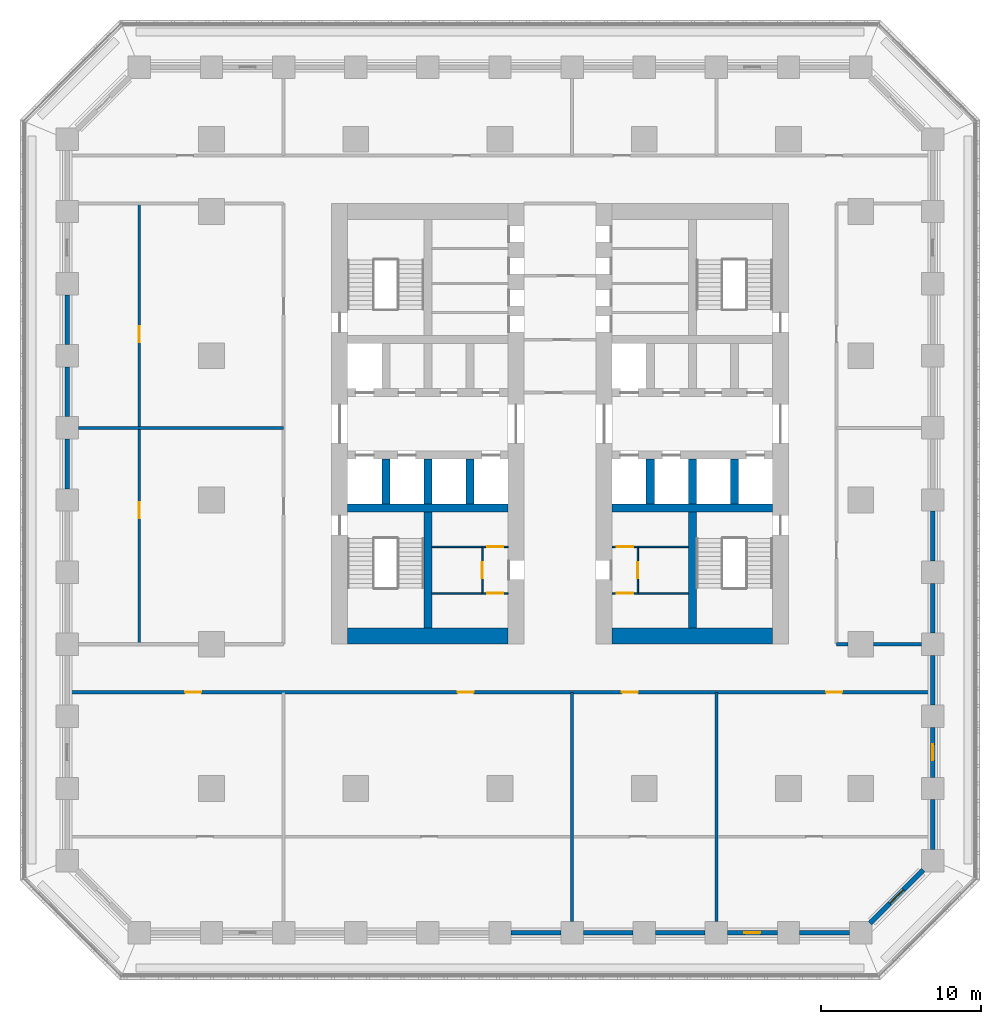
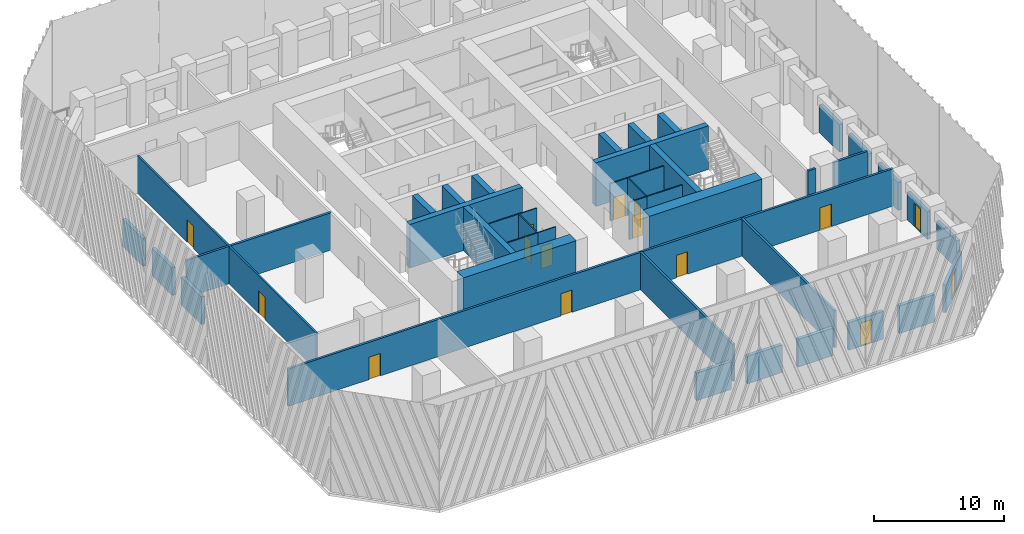
# One storey, part 3 of 12: 43 walls, 15 doors, 15 openings.
"""IFC4 building model written with IfcOpenShell, lengths in metres."""

from ifc_helpers import new_model, si_unit, direction, frame, frame_2d, origin, place, context, subcontext, project, spatial, rectangle, extrude, material, layer, layer_set, type_object, element, fill, save


model = new_model("IFC4")

# Units and contexts
model_context = context("Model", 3, precision=1e-05, world=origin(), true_north=direction((0.0, 1.0)))
body_context = subcontext(model_context, "Body", "Model", "MODEL_VIEW")
ifc_project = project(units=[si_unit("LENGTHUNIT", "METRE"), si_unit("AREAUNIT", "SQUARE_METRE"), si_unit("VOLUMEUNIT", "CUBIC_METRE"), si_unit("PLANEANGLEUNIT", "RADIAN"), si_unit("MASSUNIT", "GRAM", prefix="KILO")], contexts=[model_context])

# Site, building, storey
site_placement = place(None, origin())
site = spatial("IfcSite", under=ifc_project, at=site_placement, CompositionType="ELEMENT")
building_placement = place(site_placement, origin())
building = spatial("IfcBuilding", under=site, at=building_placement, Name="Corbel Stack Research Tower", CompositionType="ELEMENT")
storey_placement = place(building_placement, frame((0.0, 0.0, 31.800048828125)))
storey = spatial("IfcBuildingStorey", under=building, at=storey_placement, Name="L07", CompositionType="ELEMENT", Elevation=31.800048828125)

# Walls
ifc_material_1 = material(Name="Concrete C70/85", Category="concrete")
ifc_layer_1 = layer(ifc_material_1, 1.0)
ifc_layer_set_1 = layer_set([ifc_layer_1], Name="Concrete C70/85")
wall_type_1 = type_object("IfcWallType", Name="CW-1000-70", PredefinedType="SHEAR", material=ifc_layer_set_1)
for number, where, z_axis, x_axis, name in (
    (1, (-9.5, -8.5, 0.0), (0.0, 0.0, 1.0), (1.0, 0.0, 0.0), "West core wall, south end L07"),
    (2, (7.0, -8.5, 0.0), (0.0, 0.0, 1.0), (1.0, 0.0, 0.0), "East core wall, south end L07"),
):
    element("IfcWall", number, at=place(storey_placement, frame(where, z_axis=z_axis, x_axis=x_axis)), inside=storey, type_object=wall_type_1, Name=name, PredefinedType="SHEAR", context=body_context, shape_type="SweptSolid", body=[
        extrude(rectangle(XDim=10.0, YDim=1.0, at=frame_2d((5.0, 0.0))), origin(), (0.0, 0.0, 1.0), 4.099853515625),
    ])
ifc_material_2 = material(Name="Concrete C70/85", Category="concrete")
ifc_layer_2 = layer(ifc_material_2, 0.5)
ifc_layer_set_2 = layer_set([ifc_layer_2], Name="Concrete C70/85")
wall_type_2 = type_object("IfcWallType", Name="CW-500-70", PredefinedType="SHEAR", material=ifc_layer_set_2)
wall_1_placement = place(storey_placement, frame((-9.5, -0.5, 0.0), z_axis=(0.0, 0.0, 1.0), x_axis=(1.0, 0.0, 0.0)))
element("IfcWall", 3, at=wall_1_placement, inside=storey, type_object=wall_type_2, Name="West core wall, south row back L07", PredefinedType="SHEAR", context=body_context, shape_type="SweptSolid", body=[
    extrude(rectangle(XDim=10.0, YDim=0.5, at=frame_2d((5.0, 0.0))), origin(), (0.0, 0.0, 1.0), 4.099853515625),
])
for number, where, z_axis, x_axis, name in (
    (4, (-7.125, -0.25, 0.0), (0.0, 0.0, 1.0), (0.0, 1.0, 0.0), "West core wall, south shaft 1 L07"),
    (5, (-4.5, -0.25, 0.0), (0.0, 0.0, 1.0), (0.0, 1.0, 0.0), "West core wall, south shaft 2 L07"),
    (6, (-1.875, -0.25, 0.0), (0.0, 0.0, 1.0), (0.0, 1.0, 0.0), "West core wall, south shaft 3 L07"),
):
    element("IfcWall", number, at=place(storey_placement, frame(where, z_axis=z_axis, x_axis=x_axis)), inside=storey, type_object=wall_type_2, Name=name, PredefinedType="SHEAR", context=body_context, shape_type="SweptSolid", body=[
        extrude(rectangle(XDim=2.800048828125, YDim=0.5, at=frame_2d((1.39990234375, 0.0))), origin(), (0.0, 0.0, 1.0), 4.099853515625),
    ])
wall_2_placement = place(storey_placement, frame((-4.5, -8.0, 0.0), z_axis=(0.0, 0.0, 1.0), x_axis=(0.0, 1.0, 0.0)))
element("IfcWall", 7, at=wall_2_placement, inside=storey, type_object=wall_type_2, Name="West core wall, south stair and WC L07", PredefinedType="SHEAR", context=body_context, shape_type="SweptSolid", body=[
    extrude(rectangle(XDim=7.25, YDim=0.5, at=frame_2d((3.625, 0.0))), origin(), (0.0, 0.0, 1.0), 4.099853515625),
])
wall_3_placement = place(storey_placement, frame((7.0, -0.5, 0.0), z_axis=(0.0, 0.0, 1.0), x_axis=(1.0, 0.0, 0.0)))
element("IfcWall", 8, at=wall_3_placement, inside=storey, type_object=wall_type_2, Name="East core wall, south row back L07", PredefinedType="SHEAR", context=body_context, shape_type="SweptSolid", body=[
    extrude(rectangle(XDim=10.0, YDim=0.5, at=frame_2d((5.0, 0.0))), origin(), (0.0, 0.0, 1.0), 4.099853515625),
])
for number, where, z_axis, x_axis, name in (
    (9, (9.375, -0.25, 0.0), (0.0, 0.0, 1.0), (0.0, 1.0, 0.0), "East core wall, south shaft 1 L07"),
    (10, (12.0, -0.25, 0.0), (0.0, 0.0, 1.0), (0.0, 1.0, 0.0), "East core wall, south shaft 2 L07"),
    (11, (14.625, -0.25, 0.0), (0.0, 0.0, 1.0), (0.0, 1.0, 0.0), "East core wall, south shaft 3 L07"),
):
    element("IfcWall", number, at=place(storey_placement, frame(where, z_axis=z_axis, x_axis=x_axis)), inside=storey, type_object=wall_type_2, Name=name, PredefinedType="SHEAR", context=body_context, shape_type="SweptSolid", body=[
        extrude(rectangle(XDim=2.800048828125, YDim=0.5, at=frame_2d((1.39990234375, 0.0))), origin(), (0.0, 0.0, 1.0), 4.099853515625),
    ])
wall_4_placement = place(storey_placement, frame((12.0, -8.0, 0.0), z_axis=(0.0, 0.0, 1.0), x_axis=(0.0, 1.0, 0.0)))
element("IfcWall", 12, at=wall_4_placement, inside=storey, type_object=wall_type_2, Name="East core wall, south stair and WC L07", PredefinedType="SHEAR", context=body_context, shape_type="SweptSolid", body=[
    extrude(rectangle(XDim=7.25, YDim=0.5, at=frame_2d((3.625, 0.0))), origin(), (0.0, 0.0, 1.0), 4.099853515625),
])

# Wall, opening, door
ifc_material_3 = material(Name="Gypsum board")
ifc_layer_3 = layer(ifc_material_3, 0.10009765625)
ifc_layer_set_3 = layer_set([ifc_layer_3], Name="Gypsum board")
wall_type_3 = type_object("IfcWallType", Name="Core partition 100", PredefinedType="PARTITIONING", material=ifc_layer_set_3)
wall_5_placement = place(storey_placement, frame((-1.10009765625, -5.824951171875, 0.0), z_axis=(0.0, 0.0, 1.0), x_axis=(1.0, 0.0, 0.0)))
wall_5 = element("IfcWall", 13, at=wall_5_placement, inside=storey, type_object=wall_type_3, Name="Core partition W", PredefinedType="PARTITIONING", context=body_context, shape_type="SweptSolid", body=[
    extrude(rectangle(XDim=1.60009765625, YDim=0.10009765625, at=frame_2d((0.800048828125, 0.0))), origin(), (0.0, 0.0, 1.0), 3.5),
])
opening_1_placement = place(wall_5_placement, frame((0.300048828125, 0.0, 0.0)))
opening_1 = element("IfcOpeningElement", 14, at=opening_1_placement, cuts=wall_5, Name="Opening CR-W36-W2-1000", PredefinedType="OPENING", context=body_context, shape_type="SweptSolid", body=[
    extrude(rectangle(XDim=1.0, YDim=2.10009765625, at=frame_2d((0.5, 1.050048828125))), frame((0.0, 0.06005859375, 0.0), z_axis=(0.0, -1.0, 0.0), x_axis=(1.0, 0.0, 0.0)), (0.0, 0.0, 1.0), 0.1201171875),
])
ifc_material_4 = material(Name="Painted timber door", Category="wood")
door_type_1 = type_object("IfcDoorType", Name="WC door 1000 x 2100 right hand", OperationType="SINGLE_SWING_RIGHT", PredefinedType="DOOR", material=ifc_material_4)
door_1_placement = place(opening_1_placement, origin())
door_1 = element("IfcDoor", 15, at=door_1_placement, inside=storey, type_object=door_type_1, Name="Men's WC door W core", OperationType="SINGLE_SWING_RIGHT", OverallHeight=2.10009765625, OverallWidth=1.0, PredefinedType="DOOR", context=body_context, shape_type="SweptSolid", body=[
    extrude(rectangle(XDim=1.0, YDim=2.10009765625, at=frame_2d((0.5, 1.050048828125))), frame((0.0, 0.02490234375, 0.0), z_axis=(0.0, -1.0, 0.0), x_axis=(1.0, 0.0, 0.0)), (0.0, 0.0, 1.0), 0.050048828125),
])
fill(opening_1, door_1)

wall_6_placement = place(storey_placement, frame((-1.10009765625, -2.925048828125, 0.0), z_axis=(0.0, 0.0, 1.0), x_axis=(1.0, 0.0, 0.0)))
wall_6 = element("IfcWall", 16, at=wall_6_placement, inside=storey, type_object=wall_type_3, Name="Core partition W", PredefinedType="PARTITIONING", context=body_context, shape_type="SweptSolid", body=[
    extrude(rectangle(XDim=1.60009765625, YDim=0.10009765625, at=frame_2d((0.800048828125, 0.0))), origin(), (0.0, 0.0, 1.0), 3.5),
])
opening_2_placement = place(wall_6_placement, frame((0.300048828125, 0.0, 0.0)))
opening_2 = element("IfcOpeningElement", 17, at=opening_2_placement, cuts=wall_6, Name="Opening CR-W36-W3-1000", PredefinedType="OPENING", context=body_context, shape_type="SweptSolid", body=[
    extrude(rectangle(XDim=1.0, YDim=2.10009765625, at=frame_2d((0.5, 1.050048828125))), frame((0.0, 0.06005859375, 0.0), z_axis=(0.0, -1.0, 0.0), x_axis=(1.0, 0.0, 0.0)), (0.0, 0.0, 1.0), 0.1201171875),
])
ifc_material_5 = material(Name="Painted timber door", Category="wood")
door_type_2 = type_object("IfcDoorType", Name="WC door 1000 x 2100 left hand", OperationType="SINGLE_SWING_LEFT", PredefinedType="DOOR", material=ifc_material_5)
door_2_placement = place(opening_2_placement, origin())
door_2 = element("IfcDoor", 18, at=door_2_placement, inside=storey, type_object=door_type_2, Name="Women's WC door W core", OperationType="SINGLE_SWING_LEFT", OverallHeight=2.10009765625, OverallWidth=1.0, PredefinedType="DOOR", context=body_context, shape_type="SweptSolid", body=[
    extrude(rectangle(XDim=1.0, YDim=2.10009765625, at=frame_2d((0.5, 1.050048828125))), frame((0.0, 0.02490234375, 0.0), z_axis=(0.0, -1.0, 0.0), x_axis=(1.0, 0.0, 0.0)), (0.0, 0.0, 1.0), 0.050048828125),
])
fill(opening_2, door_2)

wall_7_placement = place(storey_placement, frame((-1.10009765625, -5.824951171875, 0.0), z_axis=(0.0, 0.0, 1.0), x_axis=(0.0, 1.0, 0.0)))
wall_7 = element("IfcWall", 19, at=wall_7_placement, inside=storey, type_object=wall_type_3, Name="Core partition W", PredefinedType="PARTITIONING", context=body_context, shape_type="SweptSolid", body=[
    extrude(rectangle(XDim=2.89990234375, YDim=0.10009765625, at=frame_2d((1.449951171875, 0.0))), origin(), (0.0, 0.0, 1.0), 3.5),
])
opening_3_placement = place(wall_7_placement, frame((0.949951171875, 0.0, 0.0)))
opening_3 = element("IfcOpeningElement", 20, at=opening_3_placement, cuts=wall_7, Name="Opening CR-W36-W4-1000", PredefinedType="OPENING", context=body_context, shape_type="SweptSolid", body=[
    extrude(rectangle(XDim=1.0, YDim=2.10009765625, at=frame_2d((0.5, 1.050048828125))), frame((0.0, 0.06005859375, 0.0), z_axis=(0.0, -1.0, 0.0), x_axis=(1.0, 0.0, 0.0)), (0.0, 0.0, 1.0), 0.1201171875),
])
door_3_placement = place(opening_3_placement, origin())
door_3 = element("IfcDoor", 21, at=door_3_placement, inside=storey, type_object=door_type_1, Name="Accessible WC door W core", OperationType="SINGLE_SWING_RIGHT", OverallHeight=2.10009765625, OverallWidth=1.0, PredefinedType="DOOR", context=body_context, shape_type="SweptSolid", body=[
    extrude(rectangle(XDim=1.0, YDim=2.10009765625, at=frame_2d((0.5, 1.050048828125))), frame((0.0, 0.02490234375, 0.0), z_axis=(0.0, -1.0, 0.0), x_axis=(1.0, 0.0, 0.0)), (0.0, 0.0, 1.0), 0.050048828125),
])
fill(opening_3, door_3)

# Walls
for number, where, z_axis, x_axis, name in (
    (22, (-4.25, -5.824951171875, 0.0), (0.0, 0.0, 1.0), (1.0, 0.0, 0.0), "Core partition W"),
    (23, (-4.25, -2.925048828125, 0.0), (0.0, 0.0, 1.0), (1.0, 0.0, 0.0), "Core partition W"),
):
    element("IfcWall", number, at=place(storey_placement, frame(where, z_axis=z_axis, x_axis=x_axis)), inside=storey, type_object=wall_type_3, Name=name, PredefinedType="PARTITIONING", context=body_context, shape_type="SweptSolid", body=[
        extrude(rectangle(XDim=3.14990234375, YDim=0.10009765625, at=frame_2d((1.574951171875, 0.0))), origin(), (0.0, 0.0, 1.0), 3.5),
    ])

# Wall, opening, door
wall_8_placement = place(storey_placement, frame((7.0, -5.824951171875, 0.0), z_axis=(0.0, 0.0, 1.0), x_axis=(1.0, 0.0, 0.0)))
wall_8 = element("IfcWall", 24, at=wall_8_placement, inside=storey, type_object=wall_type_3, Name="Core partition E", PredefinedType="PARTITIONING", context=body_context, shape_type="SweptSolid", body=[
    extrude(rectangle(XDim=1.60009765625, YDim=0.10009765625, at=frame_2d((0.800048828125, 0.0))), origin(), (0.0, 0.0, 1.0), 3.5),
])
opening_4_placement = place(wall_8_placement, frame((0.300048828125, 0.0, 0.0)))
opening_4 = element("IfcOpeningElement", 25, at=opening_4_placement, cuts=wall_8, Name="Opening CR-E36-W2-1000", PredefinedType="OPENING", context=body_context, shape_type="SweptSolid", body=[
    extrude(rectangle(XDim=1.0, YDim=2.10009765625, at=frame_2d((0.5, 1.050048828125))), frame((0.0, 0.06005859375, 0.0), z_axis=(0.0, -1.0, 0.0), x_axis=(1.0, 0.0, 0.0)), (0.0, 0.0, 1.0), 0.1201171875),
])
door_4_placement = place(opening_4_placement, origin())
door_4 = element("IfcDoor", 26, at=door_4_placement, inside=storey, type_object=door_type_2, Name="Men's WC door E core", OperationType="SINGLE_SWING_LEFT", OverallHeight=2.10009765625, OverallWidth=1.0, PredefinedType="DOOR", context=body_context, shape_type="SweptSolid", body=[
    extrude(rectangle(XDim=1.0, YDim=2.10009765625, at=frame_2d((0.5, 1.050048828125))), frame((0.0, 0.02490234375, 0.0), z_axis=(0.0, -1.0, 0.0), x_axis=(1.0, 0.0, 0.0)), (0.0, 0.0, 1.0), 0.050048828125),
])
fill(opening_4, door_4)

wall_9_placement = place(storey_placement, frame((7.0, -2.925048828125, 0.0), z_axis=(0.0, 0.0, 1.0), x_axis=(1.0, 0.0, 0.0)))
wall_9 = element("IfcWall", 27, at=wall_9_placement, inside=storey, type_object=wall_type_3, Name="Core partition E", PredefinedType="PARTITIONING", context=body_context, shape_type="SweptSolid", body=[
    extrude(rectangle(XDim=1.60009765625, YDim=0.10009765625, at=frame_2d((0.800048828125, 0.0))), origin(), (0.0, 0.0, 1.0), 3.5),
])
opening_5_placement = place(wall_9_placement, frame((0.300048828125, 0.0, 0.0)))
opening_5 = element("IfcOpeningElement", 28, at=opening_5_placement, cuts=wall_9, Name="Opening CR-E36-W3-1000", PredefinedType="OPENING", context=body_context, shape_type="SweptSolid", body=[
    extrude(rectangle(XDim=1.0, YDim=2.10009765625, at=frame_2d((0.5, 1.050048828125))), frame((0.0, 0.06005859375, 0.0), z_axis=(0.0, -1.0, 0.0), x_axis=(1.0, 0.0, 0.0)), (0.0, 0.0, 1.0), 0.1201171875),
])
door_5_placement = place(opening_5_placement, origin())
door_5 = element("IfcDoor", 29, at=door_5_placement, inside=storey, type_object=door_type_1, Name="Women's WC door E core", OperationType="SINGLE_SWING_RIGHT", OverallHeight=2.10009765625, OverallWidth=1.0, PredefinedType="DOOR", context=body_context, shape_type="SweptSolid", body=[
    extrude(rectangle(XDim=1.0, YDim=2.10009765625, at=frame_2d((0.5, 1.050048828125))), frame((0.0, 0.02490234375, 0.0), z_axis=(0.0, -1.0, 0.0), x_axis=(1.0, 0.0, 0.0)), (0.0, 0.0, 1.0), 0.050048828125),
])
fill(opening_5, door_5)

wall_10_placement = place(storey_placement, frame((8.60009765625, -5.824951171875, 0.0), z_axis=(0.0, 0.0, 1.0), x_axis=(0.0, 1.0, 0.0)))
wall_10 = element("IfcWall", 30, at=wall_10_placement, inside=storey, type_object=wall_type_3, Name="Core partition E", PredefinedType="PARTITIONING", context=body_context, shape_type="SweptSolid", body=[
    extrude(rectangle(XDim=2.89990234375, YDim=0.10009765625, at=frame_2d((1.449951171875, 0.0))), origin(), (0.0, 0.0, 1.0), 3.5),
])
opening_6_placement = place(wall_10_placement, frame((0.949951171875, 0.0, 0.0)))
opening_6 = element("IfcOpeningElement", 31, at=opening_6_placement, cuts=wall_10, Name="Opening CR-E36-W4-1000", PredefinedType="OPENING", context=body_context, shape_type="SweptSolid", body=[
    extrude(rectangle(XDim=1.0, YDim=2.10009765625, at=frame_2d((0.5, 1.050048828125))), frame((0.0, 0.06005859375, 0.0), z_axis=(0.0, -1.0, 0.0), x_axis=(1.0, 0.0, 0.0)), (0.0, 0.0, 1.0), 0.1201171875),
])
door_6_placement = place(opening_6_placement, origin())
door_6 = element("IfcDoor", 32, at=door_6_placement, inside=storey, type_object=door_type_2, Name="Accessible WC door E core", OperationType="SINGLE_SWING_LEFT", OverallHeight=2.10009765625, OverallWidth=1.0, PredefinedType="DOOR", context=body_context, shape_type="SweptSolid", body=[
    extrude(rectangle(XDim=1.0, YDim=2.10009765625, at=frame_2d((0.5, 1.050048828125))), frame((0.0, 0.02490234375, 0.0), z_axis=(0.0, -1.0, 0.0), x_axis=(1.0, 0.0, 0.0)), (0.0, 0.0, 1.0), 0.050048828125),
])
fill(opening_6, door_6)

# Walls
for number, where, z_axis, x_axis, name in (
    (33, (8.60009765625, -5.824951171875, 0.0), (0.0, 0.0, 1.0), (1.0, 0.0, 0.0), "Core partition E"),
    (34, (8.60009765625, -2.925048828125, 0.0), (0.0, 0.0, 1.0), (1.0, 0.0, 0.0), "Core partition E"),
):
    element("IfcWall", number, at=place(storey_placement, frame(where, z_axis=z_axis, x_axis=x_axis)), inside=storey, type_object=wall_type_3, Name=name, PredefinedType="PARTITIONING", context=body_context, shape_type="SweptSolid", body=[
        extrude(rectangle(XDim=3.14990234375, YDim=0.10009765625, at=frame_2d((1.574951171875, 0.0))), origin(), (0.0, 0.0, 1.0), 3.5),
    ])
ifc_material_6 = material(Name="Fire-rated gypsum board partition on steel studs", Category="steel")
ifc_layer_4 = layer(ifc_material_6, 0.199951171875)
ifc_layer_set_4 = layer_set([ifc_layer_4], Name="Fire-rated gypsum board partition on steel studs")
wall_type_4 = type_object("IfcWallType", Name="Fire-rated partition 200 EI 60", PredefinedType="PARTITIONING", material=ifc_layer_set_4)
for number, where, z_axis, x_axis, name in (
    (35, (4.5, -26.300048828125, 0.0), (0.0, 0.0, 1.0), (0.0, 1.0, 0.0), "Partition L07-005"),
    (36, (13.5, -26.300048828125, 0.0), (0.0, 0.0, 1.0), (0.0, 1.0, 0.0), "Partition L07-007"),
):
    element("IfcWall", number, at=place(storey_placement, frame(where, z_axis=z_axis, x_axis=x_axis)), inside=storey, type_object=wall_type_4, Name=name, PredefinedType="PARTITIONING", context=body_context, shape_type="SweptSolid", body=[
        extrude(rectangle(XDim=14.300048828125, YDim=0.199951171875, at=frame_2d((7.14990234375, 0.0))), origin(), (0.0, 0.0, 1.0), 3.5),
    ])

# Wall, openings, doors
wall_11_placement = place(storey_placement, frame((26.85009765625, -12.0, 0.0), z_axis=(0.0, 0.0, 1.0), x_axis=(-1.0, 0.0, 0.0)))
wall_11 = element("IfcWall", 37, at=wall_11_placement, inside=storey, type_object=wall_type_4, Name="Partition L07-011", PredefinedType="PARTITIONING", context=body_context, shape_type="SweptSolid", body=[
    extrude(rectangle(XDim=53.7001953125, YDim=0.199951171875, at=frame_2d((26.85009765625, 0.0))), origin(), (0.0, 0.0, 1.0), 3.5),
])
opening_7_placement = place(wall_11_placement, frame((45.5, 0.0, 0.0)))
opening_7 = element("IfcOpeningElement", 38, at=opening_7_placement, cuts=wall_11, Name="Opening B1V2-009", PredefinedType="OPENING", context=body_context, shape_type="SweptSolid", body=[
    extrude(rectangle(XDim=1.0, YDim=2.10009765625, at=frame_2d((0.5, 1.050048828125))), frame((0.0, 0.10986328125, 0.0), z_axis=(0.0, -1.0, 0.0), x_axis=(1.0, 0.0, 0.0)), (0.0, 0.0, 1.0), 0.219970703125),
])
opening_8_placement = place(wall_11_placement, frame((28.5, 0.0, 0.0)))
opening_8 = element("IfcOpeningElement", 39, at=opening_8_placement, cuts=wall_11, Name="Opening B1V2-010", PredefinedType="OPENING", context=body_context, shape_type="SweptSolid", body=[
    extrude(rectangle(XDim=1.0, YDim=2.10009765625, at=frame_2d((0.5, 1.050048828125))), frame((0.0, 0.10986328125, 0.0), z_axis=(0.0, -1.0, 0.0), x_axis=(1.0, 0.0, 0.0)), (0.0, 0.0, 1.0), 0.219970703125),
])
opening_9_placement = place(wall_11_placement, frame((18.25, 0.0, 0.0)))
opening_9 = element("IfcOpeningElement", 40, at=opening_9_placement, cuts=wall_11, Name="Opening B1V2-011", PredefinedType="OPENING", context=body_context, shape_type="SweptSolid", body=[
    extrude(rectangle(XDim=1.0, YDim=2.10009765625, at=frame_2d((0.5, 1.050048828125))), frame((0.0, 0.10986328125, 0.0), z_axis=(0.0, -1.0, 0.0), x_axis=(1.0, 0.0, 0.0)), (0.0, 0.0, 1.0), 0.219970703125),
])
opening_10_placement = place(wall_11_placement, frame((5.5, 0.0, 0.0)))
opening_10 = element("IfcOpeningElement", 41, at=opening_10_placement, cuts=wall_11, Name="Opening B1V2-012", PredefinedType="OPENING", context=body_context, shape_type="SweptSolid", body=[
    extrude(rectangle(XDim=1.0, YDim=2.10009765625, at=frame_2d((0.5, 1.050048828125))), frame((0.0, 0.10986328125, 0.0), z_axis=(0.0, -1.0, 0.0), x_axis=(1.0, 0.0, 0.0)), (0.0, 0.0, 1.0), 0.219970703125),
])
ifc_material_7 = material(Name="Painted steel fire door", Category="steel")
door_type_3 = type_object("IfcDoorType", Name="Fire door FD30S 1000 x 2100", OperationType="NOTDEFINED", PredefinedType="DOOR", material=ifc_material_7)
door_7_placement = place(opening_7_placement, origin())
door_7 = element("IfcDoor", 42, at=door_7_placement, inside=storey, type_object=door_type_3, Name="Door B1V2-009", OperationType="SINGLE_SWING_RIGHT", OverallHeight=2.10009765625, OverallWidth=1.0, PredefinedType="DOOR", context=body_context, shape_type="SweptSolid", body=[
    extrude(rectangle(XDim=1.0, YDim=2.10009765625, at=frame_2d((0.5, 1.050048828125))), frame((0.0, 0.02490234375, 0.0), z_axis=(0.0, -1.0, 0.0), x_axis=(1.0, 0.0, 0.0)), (0.0, 0.0, 1.0), 0.050048828125),
])
fill(opening_7, door_7)
door_8_placement = place(opening_8_placement, origin())
door_8 = element("IfcDoor", 43, at=door_8_placement, inside=storey, type_object=door_type_3, Name="Door B1V2-010", OperationType="SINGLE_SWING_RIGHT", OverallHeight=2.10009765625, OverallWidth=1.0, PredefinedType="DOOR", context=body_context, shape_type="SweptSolid", body=[
    extrude(rectangle(XDim=1.0, YDim=2.10009765625, at=frame_2d((0.5, 1.050048828125))), frame((0.0, 0.02490234375, 0.0), z_axis=(0.0, -1.0, 0.0), x_axis=(1.0, 0.0, 0.0)), (0.0, 0.0, 1.0), 0.050048828125),
])
fill(opening_8, door_8)
door_9_placement = place(opening_9_placement, origin())
door_9 = element("IfcDoor", 44, at=door_9_placement, inside=storey, type_object=door_type_3, Name="Door B1V2-011", OperationType="SINGLE_SWING_LEFT", OverallHeight=2.10009765625, OverallWidth=1.0, PredefinedType="DOOR", context=body_context, shape_type="SweptSolid", body=[
    extrude(rectangle(XDim=1.0, YDim=2.10009765625, at=frame_2d((0.5, 1.050048828125))), frame((0.0, 0.02490234375, 0.0), z_axis=(0.0, -1.0, 0.0), x_axis=(1.0, 0.0, 0.0)), (0.0, 0.0, 1.0), 0.050048828125),
])
fill(opening_9, door_9)
door_10_placement = place(opening_10_placement, origin())
door_10 = element("IfcDoor", 45, at=door_10_placement, inside=storey, type_object=door_type_3, Name="Door B1V2-012", OperationType="SINGLE_SWING_LEFT", OverallHeight=2.10009765625, OverallWidth=1.0, PredefinedType="DOOR", context=body_context, shape_type="SweptSolid", body=[
    extrude(rectangle(XDim=1.0, YDim=2.10009765625, at=frame_2d((0.5, 1.050048828125))), frame((0.0, 0.02490234375, 0.0), z_axis=(0.0, -1.0, 0.0), x_axis=(1.0, 0.0, 0.0)), (0.0, 0.0, 1.0), 0.050048828125),
])
fill(opening_10, door_10)

# Walls
wall_12_placement = place(storey_placement, frame((21.0, -9.0, 0.0), z_axis=(0.0, 0.0, 1.0), x_axis=(1.0, 0.0, 0.0)))
element("IfcWall", 46, at=wall_12_placement, inside=storey, type_object=wall_type_4, Name="Partition L07-014", PredefinedType="PARTITIONING", context=body_context, shape_type="SweptSolid", body=[
    extrude(rectangle(XDim=0.699951171875, YDim=0.199951171875, at=frame_2d((0.35009765625, 0.0))), origin(), (0.0, 0.0, 1.0), 3.5),
])
wall_13_placement = place(storey_placement, frame((23.300048828125, -9.0, 0.0), z_axis=(0.0, 0.0, 1.0), x_axis=(1.0, 0.0, 0.0)))
element("IfcWall", 47, at=wall_13_placement, inside=storey, type_object=wall_type_4, Name="Partition L07-015", PredefinedType="PARTITIONING", context=body_context, shape_type="SweptSolid", body=[
    extrude(rectangle(XDim=3.0, YDim=0.199951171875, at=frame_2d((1.5, 0.0))), origin(), (0.0, 0.0, 1.0), 3.5),
])
wall_14_placement = place(storey_placement, frame((-26.300048828125, 4.5, 0.0), z_axis=(0.0, 0.0, 1.0), x_axis=(1.0, 0.0, 0.0)))
element("IfcWall", 48, at=wall_14_placement, inside=storey, type_object=wall_type_4, Name="Partition L07-016", PredefinedType="PARTITIONING", context=body_context, shape_type="SweptSolid", body=[
    extrude(rectangle(XDim=12.800048828125, YDim=0.199951171875, at=frame_2d((6.39990234375, 0.0))), origin(), (0.0, 0.0, 1.0), 3.5),
])

# Wall, openings, doors
ifc_material_8 = material(Name="Gypsum board partition on steel studs", Category="steel")
ifc_layer_5 = layer(ifc_material_8, 0.14990234375)
ifc_layer_set_5 = layer_set([ifc_layer_5], Name="Gypsum board partition on steel studs")
wall_type_5 = type_object("IfcWallType", Name="Partition 150", PredefinedType="PARTITIONING", material=ifc_layer_set_5)
wall_15_placement = place(storey_placement, frame((-22.5, -9.0, 0.0), z_axis=(0.0, 0.0, 1.0), x_axis=(0.0, 1.0, 0.0)))
wall_15 = element("IfcWall", 49, at=wall_15_placement, inside=storey, type_object=wall_type_5, Name="Partition L07-001", PredefinedType="PARTITIONING", context=body_context, shape_type="SweptSolid", body=[
    extrude(rectangle(XDim=27.5, YDim=0.14990234375, at=frame_2d((13.75, 0.0))), origin(), (0.0, 0.0, 1.0), 3.5),
])
opening_11_placement = place(wall_15_placement, frame((7.85009765625, 0.0, 0.0)))
opening_11 = element("IfcOpeningElement", 50, at=opening_11_placement, cuts=wall_15, Name="Opening B1V2-001", PredefinedType="OPENING", context=body_context, shape_type="SweptSolid", body=[
    extrude(rectangle(XDim=1.0, YDim=2.10009765625, at=frame_2d((0.5, 1.050048828125))), frame((0.0, 0.0849609375, 0.0), z_axis=(0.0, -1.0, 0.0), x_axis=(1.0, 0.0, 0.0)), (0.0, 0.0, 1.0), 0.169921875),
])
opening_12_placement = place(wall_15_placement, frame((18.85009765625, 0.0, 0.0)))
opening_12 = element("IfcOpeningElement", 51, at=opening_12_placement, cuts=wall_15, Name="Opening B1V2-002", PredefinedType="OPENING", context=body_context, shape_type="SweptSolid", body=[
    extrude(rectangle(XDim=1.0, YDim=2.10009765625, at=frame_2d((0.5, 1.050048828125))), frame((0.0, 0.0849609375, 0.0), z_axis=(0.0, -1.0, 0.0), x_axis=(1.0, 0.0, 0.0)), (0.0, 0.0, 1.0), 0.169921875),
])
ifc_material_9 = material(Name="Painted timber door", Category="wood")
door_type_4 = type_object("IfcDoorType", Name="Single door 1000 x 2100", OperationType="NOTDEFINED", PredefinedType="DOOR", material=ifc_material_9)
door_11_placement = place(opening_11_placement, origin())
door_11 = element("IfcDoor", 52, at=door_11_placement, inside=storey, type_object=door_type_4, Name="Door B1V2-001", OperationType="SINGLE_SWING_LEFT", OverallHeight=2.10009765625, OverallWidth=1.0, PredefinedType="DOOR", context=body_context, shape_type="SweptSolid", body=[
    extrude(rectangle(XDim=1.0, YDim=2.10009765625, at=frame_2d((0.5, 1.050048828125))), frame((0.0, 0.02490234375, 0.0), z_axis=(0.0, -1.0, 0.0), x_axis=(1.0, 0.0, 0.0)), (0.0, 0.0, 1.0), 0.050048828125),
])
fill(opening_11, door_11)
door_12_placement = place(opening_12_placement, origin())
door_12 = element("IfcDoor", 53, at=door_12_placement, inside=storey, type_object=door_type_4, Name="Door B1V2-002", OperationType="SINGLE_SWING_RIGHT", OverallHeight=2.10009765625, OverallWidth=1.0, PredefinedType="DOOR", context=body_context, shape_type="SweptSolid", body=[
    extrude(rectangle(XDim=1.0, YDim=2.10009765625, at=frame_2d((0.5, 1.050048828125))), frame((0.0, 0.02490234375, 0.0), z_axis=(0.0, -1.0, 0.0), x_axis=(1.0, 0.0, 0.0)), (0.0, 0.0, 1.0), 0.050048828125),
])
fill(opening_12, door_12)

# Walls
ifc_material_10 = material(Name="Concrete C45/55", Category="concrete")
ifc_layer_6 = layer(ifc_material_10, 0.300048828125)
ifc_layer_set_6 = layer_set([ifc_layer_6], Name="Concrete C45/55")
wall_type_6 = type_object("IfcWallType", Name="Terracotta-faced concrete wall 300", PredefinedType="SOLIDWALL", material=ifc_layer_set_6)
for number, where, z_axis, x_axis, name in (
    (54, (3.800048828125, -27.0, 0.0), (0.0, 0.0, 1.0), (-1.0, 0.0, 0.0), "Facade wall L07 S06"),
    (55, (8.300048828125, -27.0, 0.0), (0.0, 0.0, 1.0), (-1.0, 0.0, 0.0), "Facade wall L07 S07"),
    (56, (12.800048828125, -27.0, 0.0), (0.0, 0.0, 1.0), (-1.0, 0.0, 0.0), "Facade wall L07 S08"),
):
    element("IfcWall", number, at=place(storey_placement, frame(where, z_axis=z_axis, x_axis=x_axis)), inside=storey, type_object=wall_type_6, Name=name, PredefinedType="SOLIDWALL", context=body_context, shape_type="SweptSolid", body=[
        extrude(rectangle(XDim=3.10009765625, YDim=0.300048828125, at=frame_2d((1.550048828125, 0.0))), origin(), (0.0, 0.0, 1.0), 2.599853515625),
    ])

# Wall, opening, door
wall_16_placement = place(storey_placement, frame((17.300048828125, -27.0, 0.0), z_axis=(0.0, 0.0, 1.0), x_axis=(-1.0, 0.0, 0.0)))
wall_16 = element("IfcWall", 57, at=wall_16_placement, inside=storey, type_object=wall_type_6, Name="Facade wall L07 S09", PredefinedType="SOLIDWALL", context=body_context, shape_type="SweptSolid", body=[
    extrude(rectangle(XDim=3.10009765625, YDim=0.300048828125, at=frame_2d((1.550048828125, 0.0))), origin(), (0.0, 0.0, 1.0), 2.599853515625),
])
opening_13_placement = place(wall_16_placement, frame((1.050048828125, 0.0, 0.0)))
opening_13 = element("IfcOpeningElement", 58, at=opening_13_placement, cuts=wall_16, Name="Opening L07-B02", PredefinedType="OPENING", context=body_context, shape_type="SweptSolid", body=[
    extrude(rectangle(XDim=1.0, YDim=2.199951171875, at=frame_2d((0.5, 1.10009765625))), frame((0.0, 0.159912109375, 0.0), z_axis=(0.0, -1.0, 0.0), x_axis=(1.0, 0.0, 0.0)), (0.0, 0.0, 1.0), 0.320068359375),
])
ifc_material_11 = material(Name="Aluminium frame, clear double glazing", Category="aluminium")
door_type_5 = type_object("IfcDoorType", Name="Balcony door BD1 1000 x 2200", OperationType="NOTDEFINED", PredefinedType="DOOR", material=ifc_material_11)
door_13_placement = place(opening_13_placement, origin())
door_13 = element("IfcDoor", 59, at=door_13_placement, inside=storey, type_object=door_type_5, Name="Balcony door L07-B02", OperationType="SINGLE_SWING_RIGHT", OverallHeight=2.199951171875, OverallWidth=1.0, PredefinedType="DOOR", context=body_context, shape_type="SweptSolid", body=[
    extrude(rectangle(XDim=1.0, YDim=2.199951171875, at=frame_2d((0.5, 1.10009765625))), frame((0.0, 0.02490234375, 0.0), z_axis=(0.0, -1.0, 0.0), x_axis=(1.0, 0.0, 0.0)), (0.0, 0.0, 1.0), 0.050048828125),
])
fill(opening_13, door_13)

# Wall
wall_17_placement = place(storey_placement, frame((21.800048828125, -27.0, 0.0), z_axis=(0.0, 0.0, 1.0), x_axis=(-1.0, 0.0, 0.0)))
element("IfcWall", 60, at=wall_17_placement, inside=storey, type_object=wall_type_6, Name="Facade wall L07 S10", PredefinedType="SOLIDWALL", context=body_context, shape_type="SweptSolid", body=[
    extrude(rectangle(XDim=3.10009765625, YDim=0.300048828125, at=frame_2d((1.550048828125, 0.0))), origin(), (0.0, 0.0, 1.0), 2.599853515625),
])

# Wall, opening, door
wall_18_placement = place(storey_placement, frame((26.406005859375, -23.093994140625, 0.0), z_axis=(0.0, 0.0, 1.0), x_axis=(-0.707106781187, -0.707106781187, 0.0)))
wall_18 = element("IfcWall", 61, at=wall_18_placement, inside=storey, type_object=wall_type_6, Name="Facade wall L07 SE01", PredefinedType="SOLIDWALL", context=body_context, shape_type="SweptSolid", body=[
    extrude(rectangle(XDim=4.683837890625, YDim=0.300048828125, at=frame_2d((2.341796875, 0.0))), origin(), (0.0, 0.0, 1.0), 2.599853515625),
])
opening_14_placement = place(wall_18_placement, frame((1.741943359375, 0.0, 0.0)))
opening_14 = element("IfcOpeningElement", 62, at=opening_14_placement, cuts=wall_18, Name="Opening L07-B03", PredefinedType="OPENING", context=body_context, shape_type="SweptSolid", body=[
    extrude(rectangle(XDim=1.199951171875, YDim=2.199951171875, at=frame_2d((0.60009765625, 1.10009765625))), frame((0.0, 0.159912109375, 0.0), z_axis=(0.0, -1.0, 0.0), x_axis=(1.0, 0.0, 0.0)), (0.0, 0.0, 1.0), 0.320068359375),
])
ifc_material_12 = material(Name="Aluminium frame, clear double glazing", Category="aluminium")
door_type_6 = type_object("IfcDoorType", Name="Balcony door BD2 1200 x 2200", OperationType="NOTDEFINED", PredefinedType="DOOR", material=ifc_material_12)
door_14_placement = place(opening_14_placement, origin())
door_14 = element("IfcDoor", 63, at=door_14_placement, inside=storey, type_object=door_type_6, Name="Balcony door L07-B03", OperationType="SINGLE_SWING_RIGHT", OverallHeight=2.199951171875, OverallWidth=1.199951171875, PredefinedType="DOOR", context=body_context, shape_type="SweptSolid", body=[
    extrude(rectangle(XDim=1.199951171875, YDim=2.199951171875, at=frame_2d((0.60009765625, 1.10009765625))), frame((0.0, 0.02490234375, 0.0), z_axis=(0.0, -1.0, 0.0), x_axis=(1.0, 0.0, 0.0)), (0.0, 0.0, 1.0), 0.050048828125),
])
fill(opening_14, door_14)

# Wall
wall_19_placement = place(storey_placement, frame((27.0, -18.699951171875, 0.0), z_axis=(0.0, 0.0, 1.0), x_axis=(0.0, -1.0, 0.0)))
element("IfcWall", 64, at=wall_19_placement, inside=storey, type_object=wall_type_6, Name="Facade wall L07 E01", PredefinedType="SOLIDWALL", context=body_context, shape_type="SweptSolid", body=[
    extrude(rectangle(XDim=3.10009765625, YDim=0.300048828125, at=frame_2d((1.550048828125, 0.0))), origin(), (0.0, 0.0, 1.0), 2.599853515625),
])

# Wall, opening, door
wall_20_placement = place(storey_placement, frame((27.0, -14.199951171875, 0.0), z_axis=(0.0, 0.0, 1.0), x_axis=(0.0, -1.0, 0.0)))
wall_20 = element("IfcWall", 65, at=wall_20_placement, inside=storey, type_object=wall_type_6, Name="Facade wall L07 E02", PredefinedType="SOLIDWALL", context=body_context, shape_type="SweptSolid", body=[
    extrude(rectangle(XDim=3.10009765625, YDim=0.300048828125, at=frame_2d((1.550048828125, 0.0))), origin(), (0.0, 0.0, 1.0), 2.599853515625),
])
opening_15_placement = place(wall_20_placement, frame((1.050048828125, 0.0, 0.0)))
opening_15 = element("IfcOpeningElement", 66, at=opening_15_placement, cuts=wall_20, Name="Opening L07-B04", PredefinedType="OPENING", context=body_context, shape_type="SweptSolid", body=[
    extrude(rectangle(XDim=1.0, YDim=2.199951171875, at=frame_2d((0.5, 1.10009765625))), frame((0.0, 0.159912109375, 0.0), z_axis=(0.0, -1.0, 0.0), x_axis=(1.0, 0.0, 0.0)), (0.0, 0.0, 1.0), 0.320068359375),
])
door_15_placement = place(opening_15_placement, origin())
door_15 = element("IfcDoor", 67, at=door_15_placement, inside=storey, type_object=door_type_5, Name="Balcony door L07-B04", OperationType="SINGLE_SWING_LEFT", OverallHeight=2.199951171875, OverallWidth=1.0, PredefinedType="DOOR", context=body_context, shape_type="SweptSolid", body=[
    extrude(rectangle(XDim=1.0, YDim=2.199951171875, at=frame_2d((0.5, 1.10009765625))), frame((0.0, 0.02490234375, 0.0), z_axis=(0.0, -1.0, 0.0), x_axis=(1.0, 0.0, 0.0)), (0.0, 0.0, 1.0), 0.050048828125),
])
fill(opening_15, door_15)

# Walls
for number, where, z_axis, x_axis, name in (
    (68, (27.0, -9.699951171875, 0.0), (0.0, 0.0, 1.0), (0.0, -1.0, 0.0), "Facade wall L07 E03"),
    (69, (27.0, -5.199951171875, 0.0), (0.0, 0.0, 1.0), (0.0, -1.0, 0.0), "Facade wall L07 E04"),
    (70, (27.0, -0.699951171875, 0.0), (0.0, 0.0, 1.0), (0.0, -1.0, 0.0), "Facade wall L07 E05"),
    (71, (-27.0, 9.699951171875, 0.0), (0.0, 0.0, 1.0), (0.0, 1.0, 0.0), "Facade wall L07 W03"),
    (72, (-27.0, 5.199951171875, 0.0), (0.0, 0.0, 1.0), (0.0, 1.0, 0.0), "Facade wall L07 W04"),
    (73, (-27.0, 0.699951171875, 0.0), (0.0, 0.0, 1.0), (0.0, 1.0, 0.0), "Facade wall L07 W05"),
):
    element("IfcWall", number, at=place(storey_placement, frame(where, z_axis=z_axis, x_axis=x_axis)), inside=storey, type_object=wall_type_6, Name=name, PredefinedType="SOLIDWALL", context=body_context, shape_type="SweptSolid", body=[
        extrude(rectangle(XDim=3.10009765625, YDim=0.300048828125, at=frame_2d((1.550048828125, 0.0))), origin(), (0.0, 0.0, 1.0), 2.599853515625),
    ])

save(model, "model.ifc")
